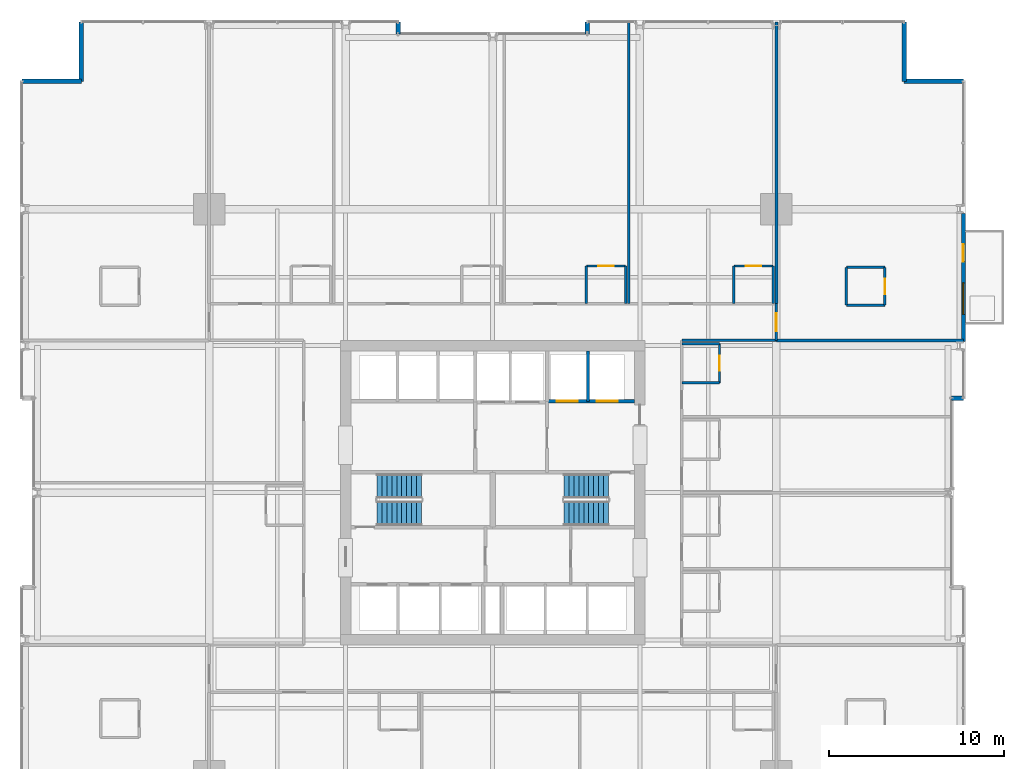
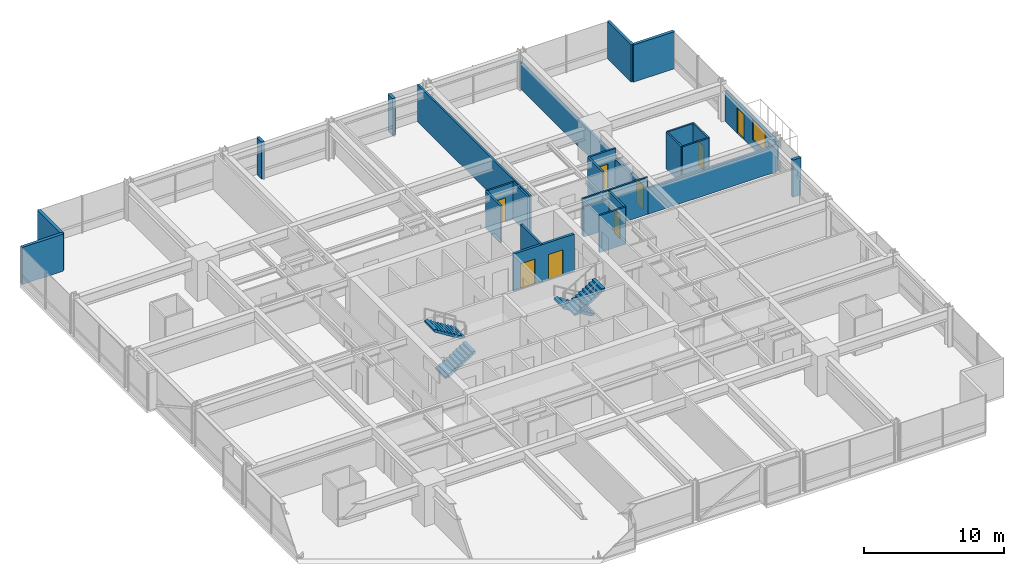
# One storey, part 33 of 38: 28 walls, 8 doors, 4 stair flights, 1 window, 9 openings, 2 elements without a shape of their own.
"""IFC4 building model written with IfcOpenShell, lengths in metres."""

from ifc_helpers import new_model, si_unit, direction, frame, frame_2d, origin, place, context, subcontext, project, spatial, polyline, rectangle, outline, extrude, material, layer, layer_set, type_object, element, fill, aggregate, save


model = new_model("IFC4")

# Units and contexts
model_context = context("Model", 3, precision=1e-05, world=origin(), true_north=direction((0.0, 1.0)))
body_context = subcontext(model_context, "Body", "Model", "MODEL_VIEW")
ifc_project = project(units=[si_unit("LENGTHUNIT", "METRE"), si_unit("AREAUNIT", "SQUARE_METRE"), si_unit("VOLUMEUNIT", "CUBIC_METRE"), si_unit("PLANEANGLEUNIT", "RADIAN"), si_unit("MASSUNIT", "GRAM", prefix="KILO")], contexts=[model_context])

# Site, building, storey
site_placement = place(None, origin())
site = spatial("IfcSite", under=ifc_project, at=site_placement, CompositionType="ELEMENT")
building_placement = place(site_placement, origin())
building = spatial("IfcBuilding", under=site, at=building_placement, Name="Drelvath Grand Hotel", CompositionType="ELEMENT")
storey_placement = place(building_placement, frame((0.0, 0.0, 50.699951171875)))
storey = spatial("IfcBuildingStorey", under=building, at=storey_placement, Name="L11", CompositionType="ELEMENT", Elevation=50.699951171875)

# Wall, openings, doors
ifc_material_1 = material(Name="Concrete C40/50", Category="concrete")
ifc_layer_1 = layer(ifc_material_1, 0.199951171875)
ifc_layer_set_1 = layer_set([ifc_layer_1], Name="Concrete C40/50")
wall_type_1 = type_object("IfcWallType", Name="Core Hoistway Fire Wall 200", PredefinedType="SOLIDWALL", material=ifc_layer_set_1)
wall_1_placement = place(storey_placement, frame((3.10009765625, 32.219970703125, 0.0), z_axis=(0.0, 0.0, 1.0), x_axis=(1.0, 0.0, 0.0)))
wall_1 = element("IfcWall", 1, at=wall_1_placement, inside=storey, type_object=wall_type_1, Name="L11 FSAE Hoistway Front Wall", PredefinedType="SOLIDWALL", context=body_context, shape_type="SweptSolid", body=[
    extrude(rectangle(XDim=5.0, YDim=0.199951171875, at=frame_2d((2.5, 0.0))), origin(), (0.0, 0.0, 1.0), 3.239990234375),
])
opening_1_placement = place(wall_1_placement, frame((0.550048828125, 0.0, 0.0)))
opening_1 = element("IfcOpeningElement", 2, at=opening_1_placement, cuts=wall_1, Name="Opening LD-FSAE-1", PredefinedType="OPENING", context=body_context, shape_type="SweptSolid", body=[
    extrude(rectangle(XDim=1.199951171875, YDim=2.199951171875, at=frame_2d((0.60009765625, 1.10009765625))), frame((0.0, 0.10986328125, 0.0), z_axis=(0.0, -1.0, 0.0), x_axis=(1.0, 0.0, 0.0)), (0.0, 0.0, 1.0), 0.219970703125),
])
opening_2_placement = place(wall_1_placement, frame((2.85009765625, 0.0, 0.0)))
opening_2 = element("IfcOpeningElement", 3, at=opening_2_placement, cuts=wall_1, Name="Opening LD-FSAE-2", PredefinedType="OPENING", context=body_context, shape_type="SweptSolid", body=[
    extrude(rectangle(XDim=1.199951171875, YDim=2.199951171875, at=frame_2d((0.60009765625, 1.10009765625))), frame((0.0, 0.10986328125, 0.0), z_axis=(0.0, -1.0, 0.0), x_axis=(1.0, 0.0, 0.0)), (0.0, 0.0, 1.0), 0.219970703125),
])
ifc_material_2 = material(Name="Stainless Steel S355", Category="steel")
door_type_1 = type_object("IfcDoorType", Name="FSAE Lift Sliding Landing Door 1200x2200", OperationType="NOTDEFINED", PredefinedType="DOOR", material=ifc_material_2)
door_1_placement = place(opening_1_placement, origin())
door_1 = element("IfcDoor", 4, at=door_1_placement, inside=storey, type_object=door_type_1, Name="L11 Lift FSAE-1 Landing Door", OperationType="SLIDING_TO_LEFT", OverallHeight=2.199951171875, OverallWidth=1.199951171875, PredefinedType="DOOR", context=body_context, shape_type="SweptSolid", body=[
    extrude(rectangle(XDim=1.199951171875, YDim=2.199951171875, at=frame_2d((0.60009765625, 1.10009765625))), frame((0.0, 0.02490234375, 0.0), z_axis=(0.0, -1.0, 0.0), x_axis=(1.0, 0.0, 0.0)), (0.0, 0.0, 1.0), 0.050048828125),
])
fill(opening_1, door_1)
door_2_placement = place(opening_2_placement, origin())
door_2 = element("IfcDoor", 5, at=door_2_placement, inside=storey, type_object=door_type_1, Name="L11 Lift FSAE-2 Landing Door", OperationType="SLIDING_TO_LEFT", OverallHeight=2.199951171875, OverallWidth=1.199951171875, PredefinedType="DOOR", context=body_context, shape_type="SweptSolid", body=[
    extrude(rectangle(XDim=1.199951171875, YDim=2.199951171875, at=frame_2d((0.60009765625, 1.10009765625))), frame((0.0, 0.02490234375, 0.0), z_axis=(0.0, -1.0, 0.0), x_axis=(1.0, 0.0, 0.0)), (0.0, 0.0, 1.0), 0.050048828125),
])
fill(opening_2, door_2)

# Walls
ifc_material_3 = material(Name="Gypsum Fireboard Partition")
ifc_layer_2 = layer(ifc_material_3, 0.1650390625)
ifc_layer_set_2 = layer_set([ifc_layer_2], Name="Gypsum Fireboard Partition")
wall_type_2 = type_object("IfcWallType", Name="Core Shaft Partition 165", PredefinedType="PARTITIONING", material=ifc_layer_set_2)
wall_2_placement = place(storey_placement, frame((5.449951171875, 32.219970703125, 0.0), z_axis=(0.0, 0.0, 1.0), x_axis=(0.0, 1.0, 0.0)))
element("IfcWall", 6, at=wall_2_placement, inside=storey, type_object=wall_type_2, Name="L11 FSAE Hoistway Divider", PredefinedType="PARTITIONING", context=body_context, shape_type="SweptSolid", body=[
    extrude(rectangle(XDim=2.880126953125, YDim=0.1650390625, at=frame_2d((1.43994140625, 0.0))), origin(), (0.0, 0.0, 1.0), 3.239990234375),
])
ifc_layer_3 = layer(ifc_material_3, 0.135009765625)
ifc_layer_set_3 = layer_set([ifc_layer_3], Name="Gypsum Fireboard Partition")
wall_type_3 = type_object("IfcWallType", Name="Corridor Fire Barrier Wall 135", PredefinedType="PARTITIONING", material=ifc_layer_set_3)
wall_3_placement = place(storey_placement, frame((10.800048828125, 35.699951171875, 0.0), z_axis=(0.0, 0.0, 1.0), x_axis=(1.0, 0.0, 0.0)))
element("IfcWall", 7, at=wall_3_placement, inside=storey, type_object=wall_type_3, Name="L11 NE Spur Inner Wall", PredefinedType="PARTITIONING", context=body_context, shape_type="SweptSolid", body=[
    extrude(rectangle(XDim=5.39990234375, YDim=0.135009765625, at=frame_2d((2.699951171875, 0.0))), origin(), (0.0, 0.0, 1.0), 3.239990234375),
])

# Wall, opening, door
wall_4_placement = place(storey_placement, frame((16.199951171875, 35.699951171875, 0.0), z_axis=(0.0, 0.0, 1.0), x_axis=(0.0, 1.0, 0.0)))
wall_4 = element("IfcWall", 8, at=wall_4_placement, inside=storey, type_object=wall_type_3, Name="L11 North Corridor East End", PredefinedType="PARTITIONING", context=body_context, shape_type="SweptSolid", body=[
    extrude(rectangle(XDim=2.10009765625, YDim=0.135009765625, at=frame_2d((1.050048828125, 0.0))), origin(), (0.0, 0.0, 1.0), 2.29833984375),
])
opening_3_placement = place(wall_4_placement, frame((0.52001953125, 0.0, 0.0)))
opening_3 = element("IfcOpeningElement", 9, at=opening_3_placement, cuts=wall_4, Name="Opening D-T1G2-023", PredefinedType="OPENING", context=body_context, shape_type="SweptSolid", body=[
    extrude(rectangle(XDim=1.02001953125, YDim=2.14990234375, at=frame_2d((0.510009765625, 1.074951171875))), frame((0.0, 0.077392578125, 0.0), z_axis=(0.0, -1.0, 0.0), x_axis=(1.0, 0.0, 0.0)), (0.0, 0.0, 1.0), 0.155029296875),
])
ifc_material_4 = material(Name="Hardwood Walnut Timber", Category="wood")
door_type_2 = type_object("IfcDoorType", Name="Amenity Meeting Fire Door 1020x2150", OperationType="NOTDEFINED", PredefinedType="DOOR", material=ifc_material_4)
door_3_placement = place(opening_3_placement, origin())
door_3 = element("IfcDoor", 10, at=door_3_placement, inside=storey, type_object=door_type_2, Name="L11 Corner Suite Entry Door", OperationType="SINGLE_SWING_RIGHT", OverallHeight=2.14990234375, OverallWidth=1.02001953125, PredefinedType="DOOR", context=body_context, shape_type="SweptSolid", body=[
    extrude(rectangle(XDim=1.02001953125, YDim=2.14990234375, at=frame_2d((0.510009765625, 1.074951171875))), frame((0.0, 0.02490234375, 0.0), z_axis=(0.0, -1.0, 0.0), x_axis=(1.0, 0.0, 0.0)), (0.0, 0.0, 1.0), 0.050048828125),
])
fill(opening_3, door_3)

# Walls
ifc_material_5 = material(Name="Moisture-Resistant Gypsum Board")
ifc_layer_4 = layer(ifc_material_5, 0.139892578125)
ifc_layer_set_4 = layer_set([ifc_layer_4], Name="Moisture-Resistant Gypsum Board")
wall_type_4 = type_object("IfcWallType", Name="En-Suite Plumbing Wall 140", PredefinedType="PLUMBINGWALL", material=ifc_layer_set_4)
for number, where, z_axis, x_axis, name in (
    (11, (20.199951171875, 37.719970703125, 0.0), (0.0, 0.0, 1.0), (1.0, 0.0, 0.0), "L11 Corner En-Suite South"),
    (12, (20.199951171875, 39.8701171875, 0.0), (0.0, 0.0, 1.0), (1.0, 0.0, 0.0), "L11 Corner En-Suite North"),
):
    element("IfcWall", number, at=place(storey_placement, frame(where, z_axis=z_axis, x_axis=x_axis)), inside=storey, type_object=wall_type_4, Name=name, PredefinedType="PLUMBINGWALL", context=body_context, shape_type="SweptSolid", body=[
        extrude(rectangle(XDim=2.199951171875, YDim=0.139892578125, at=frame_2d((1.10009765625, 0.0))), origin(), (0.0, 0.0, 1.0), 3.239990234375),
    ])
wall_5_placement = place(storey_placement, frame((20.199951171875, 37.719970703125, 0.0), z_axis=(0.0, 0.0, 1.0), x_axis=(0.0, 1.0, 0.0)))
element("IfcWall", 13, at=wall_5_placement, inside=storey, type_object=wall_type_4, Name="L11 Corner En-Suite West", PredefinedType="PLUMBINGWALL", context=body_context, shape_type="SweptSolid", body=[
    extrude(rectangle(XDim=2.150146484375, YDim=0.139892578125, at=frame_2d((1.0751953125, 0.0))), origin(), (0.0, 0.0, 1.0), 3.239990234375),
])

# Wall, opening, door
wall_6_placement = place(storey_placement, frame((22.39990234375, 37.719970703125, 0.0), z_axis=(0.0, 0.0, 1.0), x_axis=(0.0, 1.0, 0.0)))
wall_6 = element("IfcWall", 14, at=wall_6_placement, inside=storey, type_object=wall_type_4, Name="L11 Corner En-Suite East", PredefinedType="PLUMBINGWALL", context=body_context, shape_type="SweptSolid", body=[
    extrude(rectangle(XDim=2.150146484375, YDim=0.139892578125, at=frame_2d((1.0751953125, 0.0))), origin(), (0.0, 0.0, 1.0), 3.239990234375),
])
opening_4_placement = place(wall_6_placement, frame((0.6201171875, 0.0, 0.0)))
opening_4 = element("IfcOpeningElement", 15, at=opening_4_placement, cuts=wall_6, Name="Opening D-T1G2-022", PredefinedType="OPENING", context=body_context, shape_type="SweptSolid", body=[
    extrude(rectangle(XDim=0.8798828125, YDim=2.10009765625, at=frame_2d((0.43994140625, 1.050048828125))), frame((0.0, 0.079833984375, 0.0), z_axis=(0.0, -1.0, 0.0), x_axis=(1.0, 0.0, 0.0)), (0.0, 0.0, 1.0), 0.159912109375),
])
door_type_3 = type_object("IfcDoorType", Name="En-Suite Bathroom Door 880x2100", OperationType="NOTDEFINED", PredefinedType="DOOR", material=ifc_material_4)
door_4_placement = place(opening_4_placement, origin())
door_4 = element("IfcDoor", 16, at=door_4_placement, inside=storey, type_object=door_type_3, Name="L11 Corner En-Suite Door", OperationType="SINGLE_SWING_LEFT", OverallHeight=2.10009765625, OverallWidth=0.8798828125, PredefinedType="DOOR", context=body_context, shape_type="SweptSolid", body=[
    extrude(rectangle(XDim=0.8798828125, YDim=2.10009765625, at=frame_2d((0.43994140625, 1.050048828125))), frame((0.0, 0.02490234375, 0.0), z_axis=(0.0, -1.0, 0.0), x_axis=(1.0, 0.0, 0.0)), (0.0, 0.0, 1.0), 0.050048828125),
])
fill(opening_4, door_4)

# Walls
for number, where, z_axis, x_axis, name in (
    (17, (5.345947265625, 37.800048828125, 0.0), (0.0, 0.0, 1.0), (0.0, 1.0, 0.0), "L11 En-Suite Left Wall"),
    (18, (7.595947265625, 37.800048828125, 0.0), (0.0, 0.0, 1.0), (0.0, 1.0, 0.0), "L11 En-Suite Right Wall"),
):
    element("IfcWall", number, at=place(storey_placement, frame(where, z_axis=z_axis, x_axis=x_axis)), inside=storey, type_object=wall_type_4, Name=name, PredefinedType="PLUMBINGWALL", context=body_context, shape_type="SweptSolid", body=[
        extrude(rectangle(XDim=2.14990234375, YDim=0.139892578125, at=frame_2d((1.074951171875, 0.0))), origin(), (0.0, 0.0, 1.0), 3.239990234375),
    ])

# Wall, opening, door
wall_7_placement = place(storey_placement, frame((5.345947265625, 39.949951171875, 0.0), z_axis=(0.0, 0.0, 1.0), x_axis=(1.0, 0.0, 0.0)))
wall_7 = element("IfcWall", 19, at=wall_7_placement, inside=storey, type_object=wall_type_4, Name="L11 En-Suite Front Wall", PredefinedType="PLUMBINGWALL", context=body_context, shape_type="SweptSolid", body=[
    extrude(rectangle(XDim=2.25, YDim=0.139892578125, at=frame_2d((1.125, 0.0))), origin(), (0.0, 0.0, 1.0), 3.239990234375),
])
opening_5_placement = place(wall_7_placement, frame((0.68505859375, 0.0, 0.0)))
opening_5 = element("IfcOpeningElement", 20, at=opening_5_placement, cuts=wall_7, Name="Opening D-T1G2-033", PredefinedType="OPENING", context=body_context, shape_type="SweptSolid", body=[
    extrude(rectangle(XDim=0.8798828125, YDim=2.10009765625, at=frame_2d((0.43994140625, 1.050048828125))), frame((0.0, 0.079833984375, 0.0), z_axis=(0.0, -1.0, 0.0), x_axis=(1.0, 0.0, 0.0)), (0.0, 0.0, 1.0), 0.159912109375),
])
door_5_placement = place(opening_5_placement, origin())
door_5 = element("IfcDoor", 21, at=door_5_placement, inside=storey, type_object=door_type_3, Name="L11 En-Suite Bathroom Door", OperationType="SINGLE_SWING_RIGHT", OverallHeight=2.10009765625, OverallWidth=0.8798828125, PredefinedType="DOOR", context=body_context, shape_type="SweptSolid", body=[
    extrude(rectangle(XDim=0.8798828125, YDim=2.10009765625, at=frame_2d((0.43994140625, 1.050048828125))), frame((0.0, 0.02490234375, 0.0), z_axis=(0.0, -1.0, 0.0), x_axis=(1.0, 0.0, 0.0)), (0.0, 0.0, 1.0), 0.050048828125),
])
fill(opening_5, door_5)

# Walls
wall_8_placement = place(storey_placement, frame((13.77001953125, 37.800048828125, 0.0), z_axis=(0.0, 0.0, 1.0), x_axis=(0.0, 1.0, 0.0)))
element("IfcWall", 22, at=wall_8_placement, inside=storey, type_object=wall_type_4, Name="L11 En-Suite Left Wall", PredefinedType="PLUMBINGWALL", context=body_context, shape_type="SweptSolid", body=[
    extrude(rectangle(XDim=2.14990234375, YDim=0.139892578125, at=frame_2d((1.074951171875, 0.0))), origin(), (0.0, 0.0, 1.0), 3.239990234375),
])
wall_9_placement = place(storey_placement, frame((16.02001953125, 37.800048828125, 0.0), z_axis=(0.0, 0.0, 1.0), x_axis=(0.0, 1.0, 0.0)))
element("IfcWall", 23, at=wall_9_placement, inside=storey, type_object=wall_type_4, Name="L11 En-Suite Right Wall", PredefinedType="PLUMBINGWALL", context=body_context, shape_type="SweptSolid", body=[
    extrude(rectangle(XDim=2.14990234375, YDim=0.139892578125, at=frame_2d((1.074951171875, 0.0))), origin(), (0.0, 0.0, 1.0), 2.29833984375),
])

# Wall, opening, door
wall_10_placement = place(storey_placement, frame((13.77001953125, 39.949951171875, 0.0), z_axis=(0.0, 0.0, 1.0), x_axis=(1.0, 0.0, 0.0)))
wall_10 = element("IfcWall", 24, at=wall_10_placement, inside=storey, type_object=wall_type_4, Name="L11 En-Suite Front Wall", PredefinedType="PLUMBINGWALL", context=body_context, shape_type="SweptSolid", body=[
    extrude(rectangle(XDim=2.25, YDim=0.139892578125, at=frame_2d((1.125, 0.0))), origin(), (0.0, 0.0, 1.0), 3.239990234375),
])
opening_6_placement = place(wall_10_placement, frame((0.68505859375, 0.0, 0.0)))
opening_6 = element("IfcOpeningElement", 25, at=opening_6_placement, cuts=wall_10, Name="Opening D-T1G2-035", PredefinedType="OPENING", context=body_context, shape_type="SweptSolid", body=[
    extrude(rectangle(XDim=0.8798828125, YDim=2.10009765625, at=frame_2d((0.43994140625, 1.050048828125))), frame((0.0, 0.079833984375, 0.0), z_axis=(0.0, -1.0, 0.0), x_axis=(1.0, 0.0, 0.0)), (0.0, 0.0, 1.0), 0.159912109375),
])
door_6_placement = place(opening_6_placement, origin())
door_6 = element("IfcDoor", 26, at=door_6_placement, inside=storey, type_object=door_type_3, Name="L11 En-Suite Bathroom Door", OperationType="SINGLE_SWING_RIGHT", OverallHeight=2.10009765625, OverallWidth=0.8798828125, PredefinedType="DOOR", context=body_context, shape_type="SweptSolid", body=[
    extrude(rectangle(XDim=0.8798828125, YDim=2.10009765625, at=frame_2d((0.43994140625, 1.050048828125))), frame((0.0, 0.02490234375, 0.0), z_axis=(0.0, -1.0, 0.0), x_axis=(1.0, 0.0, 0.0)), (0.0, 0.0, 1.0), 0.050048828125),
])
fill(opening_6, door_6)

# Walls
wall_11_placement = place(storey_placement, frame((10.800048828125, 33.27001953125, 0.0), z_axis=(0.0, 0.0, 1.0), x_axis=(1.0, 0.0, 0.0)))
element("IfcWall", 27, at=wall_11_placement, inside=storey, type_object=wall_type_4, Name="L11 En-Suite Left Wall", PredefinedType="PLUMBINGWALL", context=body_context, shape_type="SweptSolid", body=[
    extrude(rectangle(XDim=2.14990234375, YDim=0.139892578125, at=frame_2d((1.074951171875, 0.0))), origin(), (0.0, 0.0, 1.0), 3.239990234375),
])
wall_12_placement = place(storey_placement, frame((10.800048828125, 35.52001953125, 0.0), z_axis=(0.0, 0.0, 1.0), x_axis=(1.0, 0.0, 0.0)))
element("IfcWall", 28, at=wall_12_placement, inside=storey, type_object=wall_type_4, Name="L11 En-Suite Right Wall", PredefinedType="PLUMBINGWALL", context=body_context, shape_type="SweptSolid", body=[
    extrude(rectangle(XDim=2.14990234375, YDim=0.139892578125, at=frame_2d((1.074951171875, 0.0))), origin(), (0.0, 0.0, 1.0), 2.617431640625),
])

# Wall, opening, door
wall_13_placement = place(storey_placement, frame((12.949951171875, 33.27001953125, 0.0), z_axis=(0.0, 0.0, 1.0), x_axis=(0.0, 1.0, 0.0)))
wall_13 = element("IfcWall", 29, at=wall_13_placement, inside=storey, type_object=wall_type_4, Name="L11 En-Suite Front Wall", PredefinedType="PLUMBINGWALL", context=body_context, shape_type="SweptSolid", body=[
    extrude(rectangle(XDim=2.25, YDim=0.139892578125, at=frame_2d((1.125, 0.0))), origin(), (0.0, 0.0, 1.0), 3.239990234375),
])
opening_7_placement = place(wall_13_placement, frame((0.68505859375, 0.0, 0.0)))
opening_7 = element("IfcOpeningElement", 30, at=opening_7_placement, cuts=wall_13, Name="Opening D-T1G2-046", PredefinedType="OPENING", context=body_context, shape_type="SweptSolid", body=[
    extrude(rectangle(XDim=0.8798828125, YDim=2.10009765625, at=frame_2d((0.43994140625, 1.050048828125))), frame((0.0, 0.079833984375, 0.0), z_axis=(0.0, -1.0, 0.0), x_axis=(1.0, 0.0, 0.0)), (0.0, 0.0, 1.0), 0.159912109375),
])
door_7_placement = place(opening_7_placement, origin())
door_7 = element("IfcDoor", 31, at=door_7_placement, inside=storey, type_object=door_type_3, Name="L11 En-Suite Bathroom Door", OperationType="SINGLE_SWING_LEFT", OverallHeight=2.10009765625, OverallWidth=0.8798828125, PredefinedType="DOOR", context=body_context, shape_type="SweptSolid", body=[
    extrude(rectangle(XDim=0.8798828125, YDim=2.10009765625, at=frame_2d((0.43994140625, 1.050048828125))), frame((0.0, 0.02490234375, 0.0), z_axis=(0.0, -1.0, 0.0), x_axis=(1.0, 0.0, 0.0)), (0.0, 0.0, 1.0), 0.050048828125),
])
fill(opening_7, door_7)

# Walls
ifc_material_6 = material(Name="Gypsum Acoustic Partition")
ifc_layer_5 = layer(ifc_material_6, 0.14990234375)
ifc_layer_set_5 = layer_set([ifc_layer_5], Name="Gypsum Acoustic Partition")
wall_type_5 = type_object("IfcWallType", Name="Guestroom Demising Wall 150", PredefinedType="PARTITIONING", material=ifc_layer_set_5)
wall_14_placement = place(storey_placement, frame((7.77587890625, 37.800048828125, 0.0), z_axis=(0.0, 0.0, 1.0), x_axis=(0.0, 1.0, 0.0)))
element("IfcWall", 32, at=wall_14_placement, inside=storey, type_object=wall_type_5, Name="L11 North Demising 3", PredefinedType="PARTITIONING", context=body_context, shape_type="SweptSolid", body=[
    extrude(rectangle(XDim=16.079833984375, YDim=0.14990234375, at=frame_2d((8.0400390625, 0.0))), origin(), (0.0, 0.0, 1.0), 3.239990234375),
])
ifc_layer_6 = layer(ifc_material_6, 0.1650390625)
ifc_layer_set_6 = layer_set([ifc_layer_6], Name="Gypsum Acoustic Partition")
wall_type_6 = type_object("IfcWallType", Name="Suite Demising Wall 165", PredefinedType="PARTITIONING", material=ifc_layer_set_6)
wall_15_placement = place(storey_placement, frame((16.199951171875, 37.800048828125, 0.0), z_axis=(0.0, 0.0, 1.0), x_axis=(0.0, 1.0, 0.0)))
element("IfcWall", 33, at=wall_15_placement, inside=storey, type_object=wall_type_6, Name="L11 NE Wing Boundary Wall", PredefinedType="PARTITIONING", context=body_context, shape_type="SweptSolid", body=[
    extrude(rectangle(XDim=16.079833984375, YDim=0.1650390625, at=frame_2d((8.0400390625, 0.0))), origin(), (0.0, 0.0, 1.0), 2.29833984375),
])
wall_16_placement = place(storey_placement, frame((16.199951171875, 35.699951171875, 0.0), z_axis=(0.0, 0.0, 1.0), x_axis=(1.0, 0.0, 0.0)))
element("IfcWall", 34, at=wall_16_placement, inside=storey, type_object=wall_type_6, Name="L11 NE Corner South Wall", PredefinedType="PARTITIONING", context=body_context, shape_type="SweptSolid", body=[
    extrude(rectangle(XDim=10.679931640625, YDim=0.1650390625, at=frame_2d((5.33984375, 0.0))), origin(), (0.0, 0.0, 1.0), 2.29833984375),
])

# Wall, openings, window, door
ifc_material_7 = material(Name="Pale-Metal Insulated Aluminium Spandrel Assembly", Category="aluminium")
ifc_layer_7 = layer(ifc_material_7, 0.239990234375)
ifc_layer_set_7 = layer_set([ifc_layer_7], Name="Pale-Metal Insulated Aluminium Spandrel Assembly")
wall_type_7 = type_object("IfcWallType", Name="Tower Insulated Metal Spandrel Closure Wall 240", PredefinedType="STANDARD", material=ifc_layer_set_7)
wall_17_placement = place(storey_placement, frame((26.8798828125, 42.958984375, 0.0), z_axis=(0.0, 0.0, 1.0), x_axis=(0.0, -1.0, 0.0)))
wall_17 = element("IfcWall", 35, at=wall_17_placement, inside=storey, type_object=wall_type_7, Name="L11 Exterior Terrace Door Bay Wall EN2", PredefinedType="STANDARD", context=body_context, shape_type="SweptSolid", body=[
    extrude(rectangle(XDim=7.318115234375, YDim=0.239990234375, at=frame_2d((3.6591796875, 0.0))), origin(), (0.0, 0.0, 1.0), 2.629150390625),
])
opening_8_placement = place(wall_17_placement, frame((1.759033203125, 0.0, 0.0)))
opening_8 = element("IfcOpeningElement", 36, at=opening_8_placement, cuts=wall_17, Name="Opening TD-1000", PredefinedType="OPENING", context=body_context, shape_type="SweptSolid", body=[
    extrude(rectangle(XDim=1.0, YDim=2.199951171875, at=frame_2d((0.5, 1.10009765625))), frame((0.0, 0.1298828125, 0.0), z_axis=(0.0, -1.0, 0.0), x_axis=(1.0, 0.0, 0.0)), (0.0, 0.0, 1.0), 0.260009765625),
])
opening_9_placement = place(wall_17_placement, frame((3.9658203125, 0.0, 0.75)))
opening_9 = element("IfcOpeningElement", 37, at=opening_9_placement, cuts=wall_17, Name="Opening W-02", PredefinedType="OPENING", context=body_context, shape_type="SweptSolid", body=[
    extrude(rectangle(XDim=1.800048828125, YDim=1.779052734375, at=frame_2d((0.89990234375, 0.8896484375))), frame((0.0, 0.1298828125, 0.0), z_axis=(0.0, -1.0, 0.0), x_axis=(1.0, 0.0, 0.0)), (0.0, 0.0, 1.0), 0.260009765625),
])
ifc_material_8 = material(Name="Bronze Anodised Low-E Triple Glazing", Category="glass")
window_type = type_object("IfcWindowType", Name="Chicago Double-Pane Podium Window 1800x2400", PartitioningType="DOUBLE_PANEL_VERTICAL", PredefinedType="WINDOW", material=ifc_material_8)
window_placement = place(opening_9_placement, origin())
window = element("IfcWindow", 38, at=window_placement, inside=storey, type_object=window_type, Name="L11 Terrace Bay Companion Window EN2", OverallHeight=1.779052734375, OverallWidth=1.800048828125, PartitioningType="SINGLE_PANEL", PredefinedType="WINDOW", context=body_context, shape_type="SweptSolid", body=[
    extrude(rectangle(XDim=1.800048828125, YDim=1.779052734375, at=frame_2d((0.89990234375, 0.8896484375))), frame((0.0, 0.030029296875, 0.0), z_axis=(0.0, -1.0, 0.0), x_axis=(1.0, 0.0, 0.0)), (0.0, 0.0, 1.0), 0.06005859375),
])
fill(opening_9, window)
ifc_material_9 = material(Name="Anodised Aluminium Thermally Broken Glazed Door", Category="aluminium")
door_type_4 = type_object("IfcDoorType", Name="Terrace and Tree Balcony Glazed Door 1000x2200", OperationType="NOTDEFINED", PredefinedType="DOOR", material=ifc_material_9)
door_8_placement = place(opening_8_placement, origin())
door_8 = element("IfcDoor", 39, at=door_8_placement, inside=storey, type_object=door_type_4, Name="L11 Tree Balcony Door DOOR-L11-TBAL-1", OperationType="SINGLE_SWING_RIGHT", OverallHeight=2.199951171875, OverallWidth=1.0, PredefinedType="DOOR", context=body_context, shape_type="SweptSolid", body=[
    extrude(rectangle(XDim=1.0, YDim=2.199951171875, at=frame_2d((0.5, 1.10009765625))), frame((0.0, 0.02490234375, 0.0), z_axis=(0.0, -1.0, 0.0), x_axis=(1.0, 0.0, 0.0)), (0.0, 0.0, 1.0), 0.050048828125),
])
fill(opening_8, door_8)

# Walls
for number, where, z_axis, x_axis, name in (
    (40, (-26.8798828125, 50.5, 0.0), (0.0, 0.0, 1.0), (1.0, 0.0, 0.0), "L11 Notched Corner Return Spandrel Wall CNW1"),
    (41, (-23.5, 50.5, 0.0), (0.0, 0.0, 1.0), (0.0, 1.0, 0.0), "L11 Notched Corner Return Spandrel Wall CNW2"),
    (42, (23.5, 53.8798828125, 0.0), (0.0, 0.0, 1.0), (0.0, -1.0, 0.0), "L11 Notched Corner Return Spandrel Wall CNE1"),
    (43, (23.5, 50.5, 0.0), (0.0, 0.0, 1.0), (1.0, 0.0, 0.0), "L11 Notched Corner Return Spandrel Wall CNE2"),
):
    element("IfcWall", number, at=place(storey_placement, frame(where, z_axis=z_axis, x_axis=x_axis)), inside=storey, type_object=wall_type_7, Name=name, PredefinedType="STANDARD", context=body_context, shape_type="SweptSolid", body=[
        extrude(rectangle(XDim=3.3798828125, YDim=0.239990234375, at=frame_2d((1.68994140625, 0.0))), origin(), (0.0, 0.0, 1.0), 3.239990234375),
    ])
for number, where, z_axis, x_axis, name in (
    (44, (26.8798828125, 32.39990234375, 0.0), (0.0, 0.0, 1.0), (-1.0, 0.0, 0.0), "L11 Notched Corner Return Spandrel Wall RE1"),
    (45, (-5.39990234375, 53.8798828125, 0.0), (0.0, 0.0, 1.0), (0.0, -1.0, 0.0), "L11 Notched Corner Return Spandrel Wall RN1"),
    (46, (5.39990234375, 53.199951171875, 0.0), (0.0, 0.0, 1.0), (0.0, 1.0, 0.0), "L11 Notched Corner Return Spandrel Wall RN2"),
):
    element("IfcWall", number, at=place(storey_placement, frame(where, z_axis=z_axis, x_axis=x_axis)), inside=storey, type_object=wall_type_7, Name=name, PredefinedType="STANDARD", context=body_context, shape_type="SweptSolid", body=[
        extrude(rectangle(XDim=0.679931640625, YDim=0.239990234375, at=frame_2d((0.33984375, 0.0))), origin(), (0.0, 0.0, 1.0), 3.239990234375),
    ])

# Stair, stair flights
stair_type = type_object("IfcStairType", Name="Dogleg Exit Stair W1400-R175.0", PredefinedType="HALF_TURN_STAIR", material=ifc_material_1)
stair_1_placement = place(storey_placement, origin())
stair_1 = element("IfcStair", 47, at=stair_1_placement, inside=storey, type_object=stair_type, Name="L11 Core Exit Stair ST-1", PredefinedType="HALF_TURN_STAIR")
stair_flight_type = type_object("IfcStairFlightType", Name="Concrete Stair Flight W1400-R175.0", PredefinedType="STRAIGHT", material=ifc_material_1)
stair_flight_1_placement = place(storey_placement, frame((-6.60009765625, 25.820068359375, 0.0), z_axis=(0.0, 0.0, 1.0), x_axis=(1.0, 0.0, 0.0)))
stair_flight_1 = element("IfcStairFlight", 48, at=stair_flight_1_placement, type_object=stair_flight_type, Name="ST-1 flight 1", NumberOfRisers=10, NumberOfTreads=9, PredefinedType="STRAIGHT", RiserHeight=0.175, TreadLength=0.28, context=body_context, shape_type="SweptSolid", body=[
    extrude(outline(polyline([(0.0, 0.0), (0.0, 0.175048828125), (0.280029296875, 0.175048828125), (0.280029296875, 0.35009765625), (0.56005859375, 0.35009765625), (0.56005859375, 0.52490234375), (0.840087890625, 0.52490234375), (0.840087890625, 0.699951171875), (1.1201171875, 0.699951171875), (1.1201171875, 0.875), (1.39990234375, 0.875), (1.39990234375, 1.050048828125), (1.679931640625, 1.050048828125), (1.679931640625, 1.22509765625), (1.9599609375, 1.22509765625), (1.9599609375, 1.39990234375), (2.239990234375, 1.39990234375), (2.239990234375, 1.574951171875), (2.52001953125, 1.574951171875), (2.52001953125, 1.75), (2.52001953125, 1.386474609375), (0.3017578125, 0.0), (0.0, 0.0)])), frame((0.0, 0.699951171875, 0.0), z_axis=(0.0, -1.0, 0.0), x_axis=(1.0, 0.0, 0.0)), (0.0, 0.0, 1.0), 1.39990234375),
])
stair_flight_2_placement = place(storey_placement, frame((-4.080078125, 27.3798828125, 1.75), z_axis=(0.0, 0.0, 1.0), x_axis=(-1.0, 0.0, 0.0)))
stair_flight_2 = element("IfcStairFlight", 49, at=stair_flight_2_placement, type_object=stair_flight_type, Name="ST-1 flight 2", NumberOfRisers=10, NumberOfTreads=9, PredefinedType="STRAIGHT", RiserHeight=0.175, TreadLength=0.28, context=body_context, shape_type="SweptSolid", body=[
    extrude(outline(polyline([(0.0, 0.0), (0.0, 0.175048828125), (0.280029296875, 0.175048828125), (0.280029296875, 0.35009765625), (0.56005859375, 0.35009765625), (0.56005859375, 0.52490234375), (0.840087890625, 0.52490234375), (0.840087890625, 0.699951171875), (1.1201171875, 0.699951171875), (1.1201171875, 0.875), (1.39990234375, 0.875), (1.39990234375, 1.050048828125), (1.679931640625, 1.050048828125), (1.679931640625, 1.22509765625), (1.9599609375, 1.22509765625), (1.9599609375, 1.39990234375), (2.239990234375, 1.39990234375), (2.239990234375, 1.574951171875), (2.52001953125, 1.574951171875), (2.52001953125, 1.75), (2.52001953125, 1.386474609375), (0.3017578125, 0.0), (0.0, 0.0)])), frame((0.0, 0.699951171875, 0.0), z_axis=(0.0, -1.0, 0.0), x_axis=(1.0, 0.0, 0.0)), (0.0, 0.0, 1.0), 1.39990234375),
])
aggregate(stair_1, [stair_flight_1, stair_flight_2])

stair_2_placement = place(storey_placement, origin())
stair_2 = element("IfcStair", 50, at=stair_2_placement, inside=storey, type_object=stair_type, Name="L11 Core Exit Stair ST-2", PredefinedType="HALF_TURN_STAIR")
stair_flight_3_placement = place(storey_placement, frame((6.60009765625, 27.3798828125, 0.0), z_axis=(0.0, 0.0, 1.0), x_axis=(-1.0, 0.0, 0.0)))
stair_flight_3 = element("IfcStairFlight", 51, at=stair_flight_3_placement, type_object=stair_flight_type, Name="ST-2 flight 1", NumberOfRisers=10, NumberOfTreads=9, PredefinedType="STRAIGHT", RiserHeight=0.175, TreadLength=0.28, context=body_context, shape_type="SweptSolid", body=[
    extrude(outline(polyline([(0.0, 0.0), (0.0, 0.175048828125), (0.280029296875, 0.175048828125), (0.280029296875, 0.35009765625), (0.56005859375, 0.35009765625), (0.56005859375, 0.52490234375), (0.840087890625, 0.52490234375), (0.840087890625, 0.699951171875), (1.1201171875, 0.699951171875), (1.1201171875, 0.875), (1.39990234375, 0.875), (1.39990234375, 1.050048828125), (1.679931640625, 1.050048828125), (1.679931640625, 1.22509765625), (1.9599609375, 1.22509765625), (1.9599609375, 1.39990234375), (2.239990234375, 1.39990234375), (2.239990234375, 1.574951171875), (2.52001953125, 1.574951171875), (2.52001953125, 1.75), (2.52001953125, 1.386474609375), (0.3017578125, 0.0), (0.0, 0.0)])), frame((0.0, 0.699951171875, 0.0), z_axis=(0.0, -1.0, 0.0), x_axis=(1.0, 0.0, 0.0)), (0.0, 0.0, 1.0), 1.39990234375),
])
stair_flight_4_placement = place(storey_placement, frame((4.080078125, 25.820068359375, 1.75), z_axis=(0.0, 0.0, 1.0), x_axis=(1.0, 0.0, 0.0)))
stair_flight_4 = element("IfcStairFlight", 52, at=stair_flight_4_placement, type_object=stair_flight_type, Name="ST-2 flight 2", NumberOfRisers=10, NumberOfTreads=9, PredefinedType="STRAIGHT", RiserHeight=0.175, TreadLength=0.28, context=body_context, shape_type="SweptSolid", body=[
    extrude(outline(polyline([(0.0, 0.0), (0.0, 0.175048828125), (0.280029296875, 0.175048828125), (0.280029296875, 0.35009765625), (0.56005859375, 0.35009765625), (0.56005859375, 0.52490234375), (0.840087890625, 0.52490234375), (0.840087890625, 0.699951171875), (1.1201171875, 0.699951171875), (1.1201171875, 0.875), (1.39990234375, 0.875), (1.39990234375, 1.050048828125), (1.679931640625, 1.050048828125), (1.679931640625, 1.22509765625), (1.9599609375, 1.22509765625), (1.9599609375, 1.39990234375), (2.239990234375, 1.39990234375), (2.239990234375, 1.574951171875), (2.52001953125, 1.574951171875), (2.52001953125, 1.75), (2.52001953125, 1.386474609375), (0.3017578125, 0.0), (0.0, 0.0)])), frame((0.0, 0.699951171875, 0.0), z_axis=(0.0, -1.0, 0.0), x_axis=(1.0, 0.0, 0.0)), (0.0, 0.0, 1.0), 1.39990234375),
])
aggregate(stair_2, [stair_flight_3, stair_flight_4])

save(model, "model.ifc")
